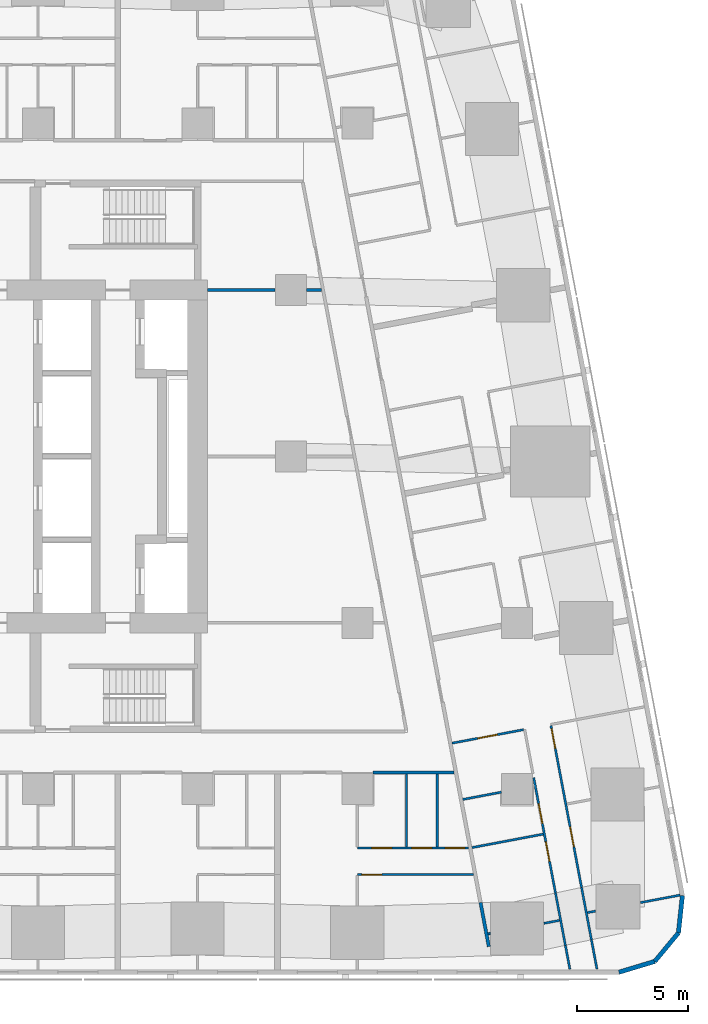
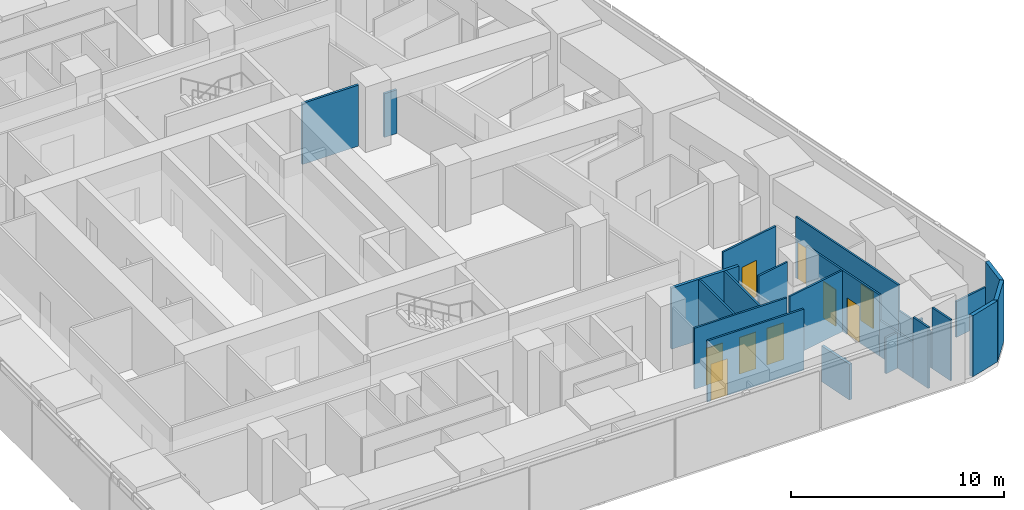
# One storey, part 13 of 19: 24 walls, 9 doors, 9 openings.
"""IFC4 building model written with IfcOpenShell, lengths in metres."""

from ifc_helpers import new_model, si_unit, direction, frame, frame_2d, origin, place, context, subcontext, project, spatial, rectangle, extrude, material, layer, layer_set, type_object, element, fill, save


model = new_model("IFC4")

# Units and contexts
model_context = context("Model", 3, precision=1e-05, world=origin(), true_north=direction((0.0, 1.0)))
body_context = subcontext(model_context, "Body", "Model", "MODEL_VIEW")
ifc_project = project(units=[si_unit("LENGTHUNIT", "METRE"), si_unit("AREAUNIT", "SQUARE_METRE"), si_unit("VOLUMEUNIT", "CUBIC_METRE"), si_unit("PLANEANGLEUNIT", "RADIAN"), si_unit("MASSUNIT", "GRAM", prefix="KILO")], contexts=[model_context])

# Site, building, storey
site_placement = place(None, origin())
site = spatial("IfcSite", under=ifc_project, at=site_placement, CompositionType="ELEMENT")
building_placement = place(site_placement, origin())
building = spatial("IfcBuilding", under=site, at=building_placement, Name="Sheger Commons Tower", CompositionType="ELEMENT")
storey_placement = place(building_placement, frame((0.0, 0.0, 219.949951171875)))
storey = spatial("IfcBuildingStorey", under=building, at=storey_placement, Name="L56", CompositionType="ELEMENT", Elevation=219.949951171875)

# Walls
ifc_material_1 = material(Name="Hollow concrete block masonry, skimmed both sides", Category="masonry")
ifc_layer_1 = layer(ifc_material_1, 0.14990234375)
ifc_layer_set_1 = layer_set([ifc_layer_1], Name="CORRIDOR WALL 150")
wall_type_1 = type_object("IfcWallType", Name="CORRIDOR WALL 150", PredefinedType="SOLIDWALL", material=ifc_layer_set_1)
wall_1_placement = place(storey_placement, frame((40.35498046875, 8.25, 0.0), z_axis=(0.0, 0.0, 1.0), x_axis=(-1.0, 0.0, 0.0)))
element("IfcWall", 1, at=wall_1_placement, inside=storey, type_object=wall_type_1, Name="Corridor wall L56", PredefinedType="SOLIDWALL", context=body_context, shape_type="SweptSolid", body=[
    extrude(rectangle(XDim=3.654052734375, YDim=0.14990234375, at=frame_2d((1.8271484375, 0.0))), origin(), (0.0, 0.0, 1.0), 3.5),
])
wall_2_placement = place(storey_placement, frame((41.552001953125, 2.39208984375, 0.0), z_axis=(0.0, 0.0, 1.0), x_axis=(0.185535500323, -0.982637561932, 0.0)))
element("IfcWall", 2, at=wall_2_placement, inside=storey, type_object=wall_type_1, Name="Corridor wall L56", PredefinedType="SOLIDWALL", context=body_context, shape_type="SweptSolid", body=[
    extrude(rectangle(XDim=2.021240234375, YDim=0.14990234375, at=frame_2d((1.0107421875, 0.0))), origin(), (0.0, 0.0, 1.0), 2.050048828125),
])
ifc_material_2 = material(Name="Rendered concrete block masonry, dark grey", Category="masonry")
ifc_layer_2 = layer(ifc_material_2, 0.199951171875)
ifc_layer_set_2 = layer_set([ifc_layer_2], Name="FACADE WALL 200")
wall_type_2 = type_object("IfcWallType", Name="FACADE WALL 200", PredefinedType="SOLIDWALL", material=ifc_layer_set_2)
wall_3_placement = place(storey_placement, frame((47.791015625, -0.75, 0.0), z_axis=(0.0, 0.0, 1.0), x_axis=(0.957455232626, 0.288581838509, 0.0)))
element("IfcWall", 3, at=wall_3_placement, inside=storey, type_object=wall_type_2, Name="Facade wall L56", PredefinedType="SOLIDWALL", context=body_context, shape_type="SweptSolid", body=[
    extrude(rectangle(XDim=1.687744140625, YDim=0.199951171875, at=frame_2d((0.84375, 0.0))), origin(), (0.0, 0.0, 1.0), 3.5),
])
wall_4_placement = place(storey_placement, frame((49.406982421875, -0.262939453125, 0.0), z_axis=(0.0, 0.0, 1.0), x_axis=(0.638042593423, 0.770001070764, 0.0)))
element("IfcWall", 4, at=wall_4_placement, inside=storey, type_object=wall_type_2, Name="Facade wall L56", PredefinedType="SOLIDWALL", context=body_context, shape_type="SweptSolid", body=[
    extrude(rectangle(XDim=1.672607421875, YDim=0.199951171875, at=frame_2d((0.83642578125, 0.0))), origin(), (0.0, 0.0, 1.0), 3.5),
])
wall_5_placement = place(storey_placement, frame((50.47412109375, 1.02490234375, 0.0), z_axis=(0.0, 0.0, 1.0), x_axis=(0.106047815515, 0.994361031429, 0.0)))
element("IfcWall", 5, at=wall_5_placement, inside=storey, type_object=wall_type_2, Name="Facade wall L56", PredefinedType="SOLIDWALL", context=body_context, shape_type="SweptSolid", body=[
    extrude(rectangle(XDim=1.6875, YDim=0.199951171875, at=frame_2d((0.84375, 0.0))), origin(), (0.0, 0.0, 1.0), 3.5),
])

# Wall, opening, door
ifc_material_3 = material(Name="Gypsum board on steel studs", Category="steel")
ifc_layer_3 = layer(ifc_material_3, 0.10009765625)
ifc_layer_set_3 = layer_set([ifc_layer_3], Name="PARTITION 100")
wall_type_3 = type_object("IfcWallType", Name="PARTITION 100", PredefinedType="PARTITIONING", material=ifc_layer_set_3)
wall_6_placement = place(storey_placement, frame((41.22900390625, 3.64990234375, 0.0), z_axis=(0.0, 0.0, 1.0), x_axis=(-1.0, 0.0, 0.0)))
wall_6 = element("IfcWall", 6, at=wall_6_placement, inside=storey, type_object=wall_type_3, Name="Partition L56", PredefinedType="PARTITIONING", context=body_context, shape_type="SweptSolid", body=[
    extrude(rectangle(XDim=5.22900390625, YDim=0.10009765625, at=frame_2d((2.614501953125, 0.0))), origin(), (0.0, 0.0, 1.0), 3.5),
])
opening_1_placement = place(wall_6_placement, frame((4.12890625, 0.0, 0.0)))
opening_1 = element("IfcOpeningElement", 7, at=opening_1_placement, cuts=wall_6, Name="Opening D2", PredefinedType="OPENING", context=body_context, shape_type="SweptSolid", body=[
    extrude(rectangle(XDim=0.89990234375, YDim=2.10009765625, at=frame_2d((0.449951171875, 1.050048828125))), frame((0.0, 0.06005859375, 0.0), z_axis=(0.0, -1.0, 0.0), x_axis=(1.0, 0.0, 0.0)), (0.0, 0.0, 1.0), 0.1201171875),
])
ifc_material_4 = material(Name="Timber door set", Category="wood")
door_type = type_object("IfcDoorType", Name="INTERNAL DOOR 900x2100", OperationType="NOTDEFINED", PredefinedType="DOOR", material=ifc_material_4)
door_1_placement = place(opening_1_placement, origin())
door_1 = element("IfcDoor", 8, at=door_1_placement, inside=storey, type_object=door_type, Name="Main bedroom door", OperationType="SINGLE_SWING_LEFT", OverallHeight=2.10009765625, OverallWidth=0.89990234375, PredefinedType="DOOR", context=body_context, shape_type="SweptSolid", body=[
    extrude(rectangle(XDim=0.89990234375, YDim=2.10009765625, at=frame_2d((0.449951171875, 1.050048828125))), frame((0.0, 0.02490234375, 0.0), z_axis=(0.0, -1.0, 0.0), x_axis=(1.0, 0.0, 0.0)), (0.0, 0.0, 1.0), 0.050048828125),
])
fill(opening_1, door_1)

# Wall, openings, doors
wall_7_placement = place(storey_placement, frame((41.001953125, 4.85009765625, 0.0), z_axis=(0.0, 0.0, 1.0), x_axis=(-1.0, 0.0, 0.0)))
wall_7 = element("IfcWall", 9, at=wall_7_placement, inside=storey, type_object=wall_type_3, Name="Partition L56", PredefinedType="PARTITIONING", context=body_context, shape_type="SweptSolid", body=[
    extrude(rectangle(XDim=5.001953125, YDim=0.10009765625, at=frame_2d((2.5009765625, 0.0))), origin(), (0.0, 0.0, 1.0), 3.5),
])
opening_2_placement = place(wall_7_placement, frame((3.447021484375, 0.0, 0.0)))
opening_2 = element("IfcOpeningElement", 10, at=opening_2_placement, cuts=wall_7, Name="Opening D2", PredefinedType="OPENING", context=body_context, shape_type="SweptSolid", body=[
    extrude(rectangle(XDim=0.89990234375, YDim=2.10009765625, at=frame_2d((0.449951171875, 1.050048828125))), frame((0.0, 0.06005859375, 0.0), z_axis=(0.0, -1.0, 0.0), x_axis=(1.0, 0.0, 0.0)), (0.0, 0.0, 1.0), 0.1201171875),
])
opening_3_placement = place(wall_7_placement, frame((0.14990234375, 0.0, 0.0)))
opening_3 = element("IfcOpeningElement", 11, at=opening_3_placement, cuts=wall_7, Name="Opening D2", PredefinedType="OPENING", context=body_context, shape_type="SweptSolid", body=[
    extrude(rectangle(XDim=0.89990234375, YDim=2.10009765625, at=frame_2d((0.449951171875, 1.050048828125))), frame((0.0, 0.06005859375, 0.0), z_axis=(0.0, -1.0, 0.0), x_axis=(1.0, 0.0, 0.0)), (0.0, 0.0, 1.0), 0.1201171875),
])
opening_4_placement = place(wall_7_placement, frame((1.64697265625, 0.0, 0.0)))
opening_4 = element("IfcOpeningElement", 12, at=opening_4_placement, cuts=wall_7, Name="Opening D2", PredefinedType="OPENING", context=body_context, shape_type="SweptSolid", body=[
    extrude(rectangle(XDim=0.89990234375, YDim=2.10009765625, at=frame_2d((0.449951171875, 1.050048828125))), frame((0.0, 0.06005859375, 0.0), z_axis=(0.0, -1.0, 0.0), x_axis=(1.0, 0.0, 0.0)), (0.0, 0.0, 1.0), 0.1201171875),
])
door_2_placement = place(opening_2_placement, origin())
door_2 = element("IfcDoor", 13, at=door_2_placement, inside=storey, type_object=door_type, Name="Bathroom door", OperationType="SINGLE_SWING_LEFT", OverallHeight=2.10009765625, OverallWidth=0.89990234375, PredefinedType="DOOR", context=body_context, shape_type="SweptSolid", body=[
    extrude(rectangle(XDim=0.89990234375, YDim=2.10009765625, at=frame_2d((0.449951171875, 1.050048828125))), frame((0.0, 0.02490234375, 0.0), z_axis=(0.0, -1.0, 0.0), x_axis=(1.0, 0.0, 0.0)), (0.0, 0.0, 1.0), 0.050048828125),
])
fill(opening_2, door_2)
door_3_placement = place(opening_3_placement, origin())
door_3 = element("IfcDoor", 14, at=door_3_placement, inside=storey, type_object=door_type, Name="Laundry room door", OperationType="SINGLE_SWING_RIGHT", OverallHeight=2.10009765625, OverallWidth=0.89990234375, PredefinedType="DOOR", context=body_context, shape_type="SweptSolid", body=[
    extrude(rectangle(XDim=0.89990234375, YDim=2.10009765625, at=frame_2d((0.449951171875, 1.050048828125))), frame((0.0, 0.02490234375, 0.0), z_axis=(0.0, -1.0, 0.0), x_axis=(1.0, 0.0, 0.0)), (0.0, 0.0, 1.0), 0.050048828125),
])
fill(opening_3, door_3)
door_4_placement = place(opening_4_placement, origin())
door_4 = element("IfcDoor", 15, at=door_4_placement, inside=storey, type_object=door_type, Name="Store door", OperationType="SINGLE_SWING_LEFT", OverallHeight=2.10009765625, OverallWidth=0.89990234375, PredefinedType="DOOR", context=body_context, shape_type="SweptSolid", body=[
    extrude(rectangle(XDim=0.89990234375, YDim=2.10009765625, at=frame_2d((0.449951171875, 1.050048828125))), frame((0.0, 0.02490234375, 0.0), z_axis=(0.0, -1.0, 0.0), x_axis=(1.0, 0.0, 0.0)), (0.0, 0.0, 1.0), 0.050048828125),
])
fill(opening_4, door_4)

# Walls
for number, where, z_axis, x_axis, name in (
    (16, (39.60009765625, 4.89990234375, 0.0), (0.0, 0.0, 1.0), (0.0, 1.0, 0.0), "Partition L56"),
    (17, (38.2099609375, 4.89990234375, 0.0), (0.0, 0.0, 1.0), (0.0, 1.0, 0.0), "Partition L56"),
):
    element("IfcWall", number, at=place(storey_placement, frame(where, z_axis=z_axis, x_axis=x_axis)), inside=storey, type_object=wall_type_3, Name=name, PredefinedType="PARTITIONING", context=body_context, shape_type="SweptSolid", body=[
        extrude(rectangle(XDim=3.275146484375, YDim=0.10009765625, at=frame_2d((1.6376953125, 0.0))), origin(), (0.0, 0.0, 1.0), 3.5),
    ])

# Wall, openings, doors
wall_8_placement = place(storey_placement, frame((44.72705078125, 10.365966796875, 0.0), z_axis=(0.0, 0.0, 1.0), x_axis=(0.185678775129, -0.982610498858, 0.0)))
wall_8 = element("IfcWall", 18, at=wall_8_placement, inside=storey, type_object=wall_type_3, Name="Partition L56", PredefinedType="PARTITIONING", context=body_context, shape_type="SweptSolid", body=[
    extrude(rectangle(XDim=7.421142578125, YDim=0.10009765625, at=frame_2d((3.71044921875, 0.0))), origin(), (0.0, 0.0, 1.0), 3.5),
])
opening_5_placement = place(wall_8_placement, frame((0.15087890625, 0.0, 0.0)))
opening_5 = element("IfcOpeningElement", 19, at=opening_5_placement, cuts=wall_8, Name="Opening D2", PredefinedType="OPENING", context=body_context, shape_type="SweptSolid", body=[
    extrude(rectangle(XDim=0.89990234375, YDim=2.10009765625, at=frame_2d((0.449951171875, 1.050048828125))), frame((0.0, 0.06005859375, 0.0), z_axis=(0.0, -1.0, 0.0), x_axis=(1.0, 0.0, 0.0)), (0.0, 0.0, 1.0), 0.1201171875),
])
opening_6_placement = place(wall_8_placement, frame((4.64990234375, 0.0, 0.0)))
opening_6 = element("IfcOpeningElement", 20, at=opening_6_placement, cuts=wall_8, Name="Opening D2", PredefinedType="OPENING", context=body_context, shape_type="SweptSolid", body=[
    extrude(rectangle(XDim=0.89990234375, YDim=2.10009765625, at=frame_2d((0.449951171875, 1.050048828125))), frame((0.0, 0.06005859375, 0.0), z_axis=(0.0, -1.0, 0.0), x_axis=(1.0, 0.0, 0.0)), (0.0, 0.0, 1.0), 0.1201171875),
])
door_5_placement = place(opening_5_placement, origin())
door_5 = element("IfcDoor", 21, at=door_5_placement, inside=storey, type_object=door_type, Name="Main bedroom door", OperationType="SINGLE_SWING_LEFT", OverallHeight=2.10009765625, OverallWidth=0.89990234375, PredefinedType="DOOR", context=body_context, shape_type="SweptSolid", body=[
    extrude(rectangle(XDim=0.89990234375, YDim=2.10009765625, at=frame_2d((0.449951171875, 1.050048828125))), frame((0.0, 0.02490234375, 0.0), z_axis=(0.0, -1.0, 0.0), x_axis=(1.0, 0.0, 0.0)), (0.0, 0.0, 1.0), 0.050048828125),
])
fill(opening_5, door_5)
door_6_placement = place(opening_6_placement, origin())
door_6 = element("IfcDoor", 22, at=door_6_placement, inside=storey, type_object=door_type, Name="Bedroom 2 door", OperationType="SINGLE_SWING_LEFT", OverallHeight=2.10009765625, OverallWidth=0.89990234375, PredefinedType="DOOR", context=body_context, shape_type="SweptSolid", body=[
    extrude(rectangle(XDim=0.89990234375, YDim=2.10009765625, at=frame_2d((0.449951171875, 1.050048828125))), frame((0.0, 0.02490234375, 0.0), z_axis=(0.0, -1.0, 0.0), x_axis=(1.0, 0.0, 0.0)), (0.0, 0.0, 1.0), 0.050048828125),
])
fill(opening_6, door_6)

# Walls
wall_9_placement = place(storey_placement, frame((46.10498046875, 3.073974609375, 0.0), z_axis=(0.0, 0.0, 1.0), x_axis=(0.185631845838, -0.982619365681, 0.0)))
element("IfcWall", 23, at=wall_9_placement, inside=storey, type_object=wall_type_3, Name="Partition L56", PredefinedType="PARTITIONING", context=body_context, shape_type="SweptSolid", body=[
    extrude(rectangle(XDim=2.40283203125, YDim=0.10009765625, at=frame_2d((1.201416015625, 0.0))), origin(), (0.0, 0.0, 1.0), 2.050048828125),
])
wall_10_placement = place(storey_placement, frame((46.551025390625, 0.712890625, 0.0), z_axis=(0.0, 0.0, 1.0), x_axis=(0.185407859198, -0.982661653748, 0.0)))
element("IfcWall", 24, at=wall_10_placement, inside=storey, type_object=wall_type_3, Name="Partition L56", PredefinedType="PARTITIONING", context=body_context, shape_type="SweptSolid", body=[
    extrude(rectangle(XDim=1.343017578125, YDim=0.10009765625, at=frame_2d((0.67138671875, 0.0))), origin(), (0.0, 0.0, 1.0), 3.5),
])

# Wall, openings, doors
wall_11_placement = place(storey_placement, frame((43.948974609375, 8.02001953125, 0.0), z_axis=(0.0, 0.0, 1.0), x_axis=(0.185656792073, -0.982614652627, 0.0)))
wall_11 = element("IfcWall", 25, at=wall_11_placement, inside=storey, type_object=wall_type_3, Name="Partition L56", PredefinedType="PARTITIONING", context=body_context, shape_type="SweptSolid", body=[
    extrude(rectangle(XDim=5.2890625, YDim=0.10009765625, at=frame_2d((2.64453125, 0.0))), origin(), (0.0, 0.0, 1.0), 3.5),
])
opening_7_placement = place(wall_11_placement, frame((1.199951171875, 0.0, 0.0)))
opening_7 = element("IfcOpeningElement", 26, at=opening_7_placement, cuts=wall_11, Name="Opening D2", PredefinedType="OPENING", context=body_context, shape_type="SweptSolid", body=[
    extrude(rectangle(XDim=0.89990234375, YDim=2.10009765625, at=frame_2d((0.449951171875, 1.050048828125))), frame((0.0, 0.06005859375, 0.0), z_axis=(0.0, -1.0, 0.0), x_axis=(1.0, 0.0, 0.0)), (0.0, 0.0, 1.0), 0.1201171875),
])
opening_8_placement = place(wall_11_placement, frame((2.93505859375, 0.0, 0.0)))
opening_8 = element("IfcOpeningElement", 27, at=opening_8_placement, cuts=wall_11, Name="Opening D2", PredefinedType="OPENING", context=body_context, shape_type="SweptSolid", body=[
    extrude(rectangle(XDim=0.89990234375, YDim=2.10009765625, at=frame_2d((0.449951171875, 1.050048828125))), frame((0.0, 0.06005859375, 0.0), z_axis=(0.0, -1.0, 0.0), x_axis=(1.0, 0.0, 0.0)), (0.0, 0.0, 1.0), 0.1201171875),
])
door_7_placement = place(opening_7_placement, origin())
door_7 = element("IfcDoor", 28, at=door_7_placement, inside=storey, type_object=door_type, Name="Bathroom door", OperationType="SINGLE_SWING_LEFT", OverallHeight=2.10009765625, OverallWidth=0.89990234375, PredefinedType="DOOR", context=body_context, shape_type="SweptSolid", body=[
    extrude(rectangle(XDim=0.89990234375, YDim=2.10009765625, at=frame_2d((0.449951171875, 1.050048828125))), frame((0.0, 0.02490234375, 0.0), z_axis=(0.0, -1.0, 0.0), x_axis=(1.0, 0.0, 0.0)), (0.0, 0.0, 1.0), 0.050048828125),
])
fill(opening_7, door_7)
door_8_placement = place(opening_8_placement, origin())
door_8 = element("IfcDoor", 29, at=door_8_placement, inside=storey, type_object=door_type, Name="Store door", OperationType="SINGLE_SWING_RIGHT", OverallHeight=2.10009765625, OverallWidth=0.89990234375, PredefinedType="DOOR", context=body_context, shape_type="SweptSolid", body=[
    extrude(rectangle(XDim=0.89990234375, YDim=2.10009765625, at=frame_2d((0.449951171875, 1.050048828125))), frame((0.0, 0.02490234375, 0.0), z_axis=(0.0, -1.0, 0.0), x_axis=(1.0, 0.0, 0.0)), (0.0, 0.0, 1.0), 0.050048828125),
])
fill(opening_8, door_8)

# Walls
wall_12_placement = place(storey_placement, frame((44.930908203125, 2.822998046875, 0.0), z_axis=(0.0, 0.0, 1.0), x_axis=(0.185631845838, -0.982619365681, 0.0)))
element("IfcWall", 30, at=wall_12_placement, inside=storey, type_object=wall_type_3, Name="Partition L56", PredefinedType="PARTITIONING", context=body_context, shape_type="SweptSolid", body=[
    extrude(rectangle(XDim=2.40283203125, YDim=0.10009765625, at=frame_2d((1.201416015625, 0.0))), origin(), (0.0, 0.0, 1.0), 2.050048828125),
])
wall_13_placement = place(storey_placement, frame((45.376953125, 0.4619140625, 0.0), z_axis=(0.0, 0.0, 1.0), x_axis=(0.185513480919, -0.982641719243, 0.0)))
element("IfcWall", 31, at=wall_13_placement, inside=storey, type_object=wall_type_3, Name="Partition L56", PredefinedType="PARTITIONING", context=body_context, shape_type="SweptSolid", body=[
    extrude(rectangle(XDim=1.094970703125, YDim=0.10009765625, at=frame_2d((0.54736328125, 0.0))), origin(), (0.0, 0.0, 1.0), 3.5),
])
wall_14_placement = place(storey_placement, frame((50.547119140625, 2.72607421875, 0.0), z_axis=(0.0, 0.0, 1.0), x_axis=(-0.982603988143, -0.185713226471, 0.0)))
element("IfcWall", 32, at=wall_14_placement, inside=storey, type_object=wall_type_3, Name="Partition L56", PredefinedType="PARTITIONING", context=body_context, shape_type="SweptSolid", body=[
    extrude(rectangle(XDim=1.82080078125, YDim=0.10009765625, at=frame_2d((0.910400390625, 0.0))), origin(), (0.0, 0.0, 1.0), 2.050048828125),
])
wall_15_placement = place(storey_placement, frame((46.738037109375, 2.006103515625, 0.0), z_axis=(0.0, 0.0, 1.0), x_axis=(-0.982820466874, -0.184564161994, 0.0)))
element("IfcWall", 33, at=wall_15_placement, inside=storey, type_object=wall_type_3, Name="Partition L56", PredefinedType="PARTITIONING", context=body_context, shape_type="SweptSolid", body=[
    extrude(rectangle(XDim=0.374267578125, YDim=0.10009765625, at=frame_2d((0.18701171875, 0.0))), origin(), (0.0, 0.0, 1.0), 2.050048828125),
])

# Wall, opening, door
wall_16_placement = place(storey_placement, frame((43.489990234375, 10.18310546875, 0.0), z_axis=(0.0, 0.0, 1.0), x_axis=(-0.982607026909, -0.185697147715, 0.0)))
wall_16 = element("IfcWall", 34, at=wall_16_placement, inside=storey, type_object=wall_type_3, Name="Partition L56", PredefinedType="PARTITIONING", context=body_context, shape_type="SweptSolid", body=[
    extrude(rectangle(XDim=3.27490234375, YDim=0.10009765625, at=frame_2d((1.637451171875, 0.0))), origin(), (0.0, 0.0, 1.0), 3.5),
])
opening_9_placement = place(wall_16_placement, frame((1.199951171875, 0.0, 0.0)))
opening_9 = element("IfcOpeningElement", 35, at=opening_9_placement, cuts=wall_16, Name="Opening D2", PredefinedType="OPENING", context=body_context, shape_type="SweptSolid", body=[
    extrude(rectangle(XDim=0.89990234375, YDim=2.10009765625, at=frame_2d((0.449951171875, 1.050048828125))), frame((0.0, 0.06005859375, 0.0), z_axis=(0.0, -1.0, 0.0), x_axis=(1.0, 0.0, 0.0)), (0.0, 0.0, 1.0), 0.1201171875),
])
door_9_placement = place(opening_9_placement, origin())
door_9 = element("IfcDoor", 36, at=door_9_placement, inside=storey, type_object=door_type, Name="Store door", OperationType="SINGLE_SWING_RIGHT", OverallHeight=2.10009765625, OverallWidth=0.89990234375, PredefinedType="DOOR", context=body_context, shape_type="SweptSolid", body=[
    extrude(rectangle(XDim=0.89990234375, YDim=2.10009765625, at=frame_2d((0.449951171875, 1.050048828125))), frame((0.0, 0.02490234375, 0.0), z_axis=(0.0, -1.0, 0.0), x_axis=(1.0, 0.0, 0.0)), (0.0, 0.0, 1.0), 0.050048828125),
])
fill(opening_9, door_9)

# Walls
wall_17_placement = place(storey_placement, frame((42.489990234375, 7.366943359375, 0.0), z_axis=(0.0, 0.0, 1.0), x_axis=(-0.982585223885, -0.185812480215, 0.0)))
element("IfcWall", 37, at=wall_17_placement, inside=storey, type_object=wall_type_3, Name="Partition L56", PredefinedType="PARTITIONING", context=body_context, shape_type="SweptSolid", body=[
    extrude(rectangle(XDim=1.769775390625, YDim=0.10009765625, at=frame_2d((0.884765625, 0.0))), origin(), (0.0, 0.0, 1.0), 3.5),
])
wall_18_placement = place(storey_placement, frame((45.114013671875, 1.5869140625, 0.0), z_axis=(0.0, 0.0, 1.0), x_axis=(-0.982671022916, -0.185358195723, 0.0)))
element("IfcWall", 38, at=wall_18_placement, inside=storey, type_object=wall_type_3, Name="Partition L56", PredefinedType="PARTITIONING", context=body_context, shape_type="SweptSolid", body=[
    extrude(rectangle(XDim=0.716552734375, YDim=0.10009765625, at=frame_2d((0.3583984375, 0.0))), origin(), (0.0, 0.0, 1.0), 2.050048828125),
])
wall_19_placement = place(storey_placement, frame((41.989990234375, 0.9970703125, 0.0), z_axis=(0.0, 0.0, 1.0), x_axis=(-0.982382747416, -0.186880008506, 0.0)))
element("IfcWall", 39, at=wall_19_placement, inside=storey, type_object=wall_type_3, Name="Partition L56", PredefinedType="PARTITIONING", context=body_context, shape_type="SweptSolid", body=[
    extrude(rectangle(XDim=0.0966796875, YDim=0.10009765625, at=frame_2d((0.04833984375, 0.0))), origin(), (0.0, 0.0, 1.0), 2.050048828125),
])
wall_20_placement = place(storey_placement, frame((44.37890625, 5.47412109375, 0.0), z_axis=(0.0, 0.0, 1.0), x_axis=(-0.982607026909, -0.185697147715, 0.0)))
element("IfcWall", 40, at=wall_20_placement, inside=storey, type_object=wall_type_3, Name="Partition L56", PredefinedType="PARTITIONING", context=body_context, shape_type="SweptSolid", body=[
    extrude(rectangle(XDim=3.27490234375, YDim=0.10009765625, at=frame_2d((1.637451171875, 0.0))), origin(), (0.0, 0.0, 1.0), 3.5),
])
ifc_material_5 = material(Name="Gypsum board on steel studs, two layers each side, fire rated", Category="steel")
ifc_layer_4 = layer(ifc_material_5, 0.125)
ifc_layer_set_4 = layer_set([ifc_layer_4], Name="SERVICE WALL 125")
wall_type_4 = type_object("IfcWallType", Name="SERVICE WALL 125", PredefinedType="PARTITIONING", material=ifc_layer_set_4)
wall_21_placement = place(storey_placement, frame((29.25, 30.0, 0.0), z_axis=(0.0, 0.0, 1.0), x_axis=(1.0, 0.0, 0.0)))
element("IfcWall", 41, at=wall_21_placement, inside=storey, type_object=wall_type_4, Name="Service room wall L56", PredefinedType="PARTITIONING", context=body_context, shape_type="SweptSolid", body=[
    extrude(rectangle(XDim=3.049072265625, YDim=0.125, at=frame_2d((1.5244140625, 0.0))), origin(), (0.0, 0.0, 1.0), 3.5),
])
wall_22_placement = place(storey_placement, frame((33.700927734375, 30.0, 0.0), z_axis=(0.0, 0.0, 1.0), x_axis=(1.0, 0.0, 0.0)))
element("IfcWall", 42, at=wall_22_placement, inside=storey, type_object=wall_type_4, Name="Service room wall L56", PredefinedType="PARTITIONING", context=body_context, shape_type="SweptSolid", body=[
    extrude(rectangle(XDim=0.677978515625, YDim=0.125, at=frame_2d((0.3388671875, 0.0))), origin(), (0.0, 0.0, 1.0), 2.5),
])

save(model, "model.ifc")
